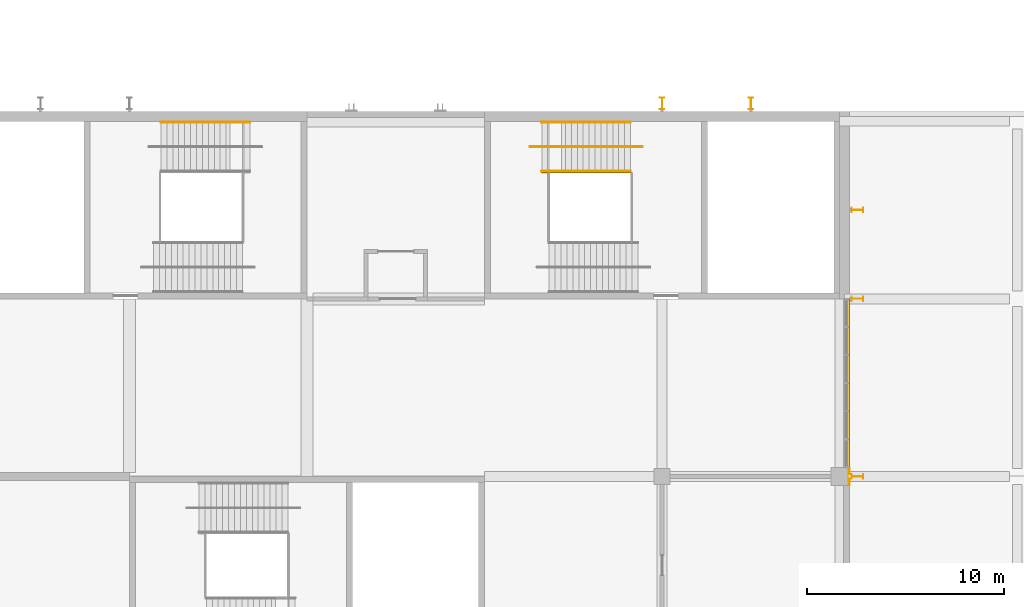
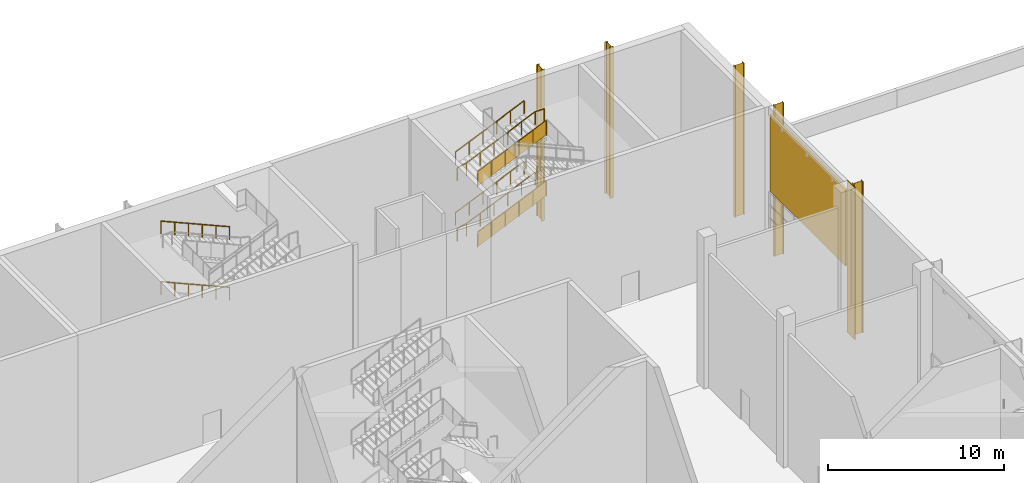
# One storey, part 177 of 182: 10 railings, 5 shading devices, 2 coverings.
"""IFC4 building model written with IfcOpenShell, lengths in metres."""

from ifc_helpers import new_model, si_unit, direction, frame, origin, origin_2d, place, context, subcontext, project, spatial, polyline, circle, i_section, outline, extrude, material, layer, layer_set, material_profile, profile_set, type_object, element, save


model = new_model("IFC4")

# Units and contexts
model_context = context("Model", 3, precision=1e-05, world=origin(), true_north=direction((0.0, 1.0)))
body_context = subcontext(model_context, "Body", "Model", "MODEL_VIEW")
ifc_project = project(units=[si_unit("LENGTHUNIT", "METRE"), si_unit("AREAUNIT", "SQUARE_METRE"), si_unit("VOLUMEUNIT", "CUBIC_METRE"), si_unit("PLANEANGLEUNIT", "RADIAN"), si_unit("MASSUNIT", "GRAM", prefix="KILO")], contexts=[model_context])

# Site, building, storey
site_placement = place(None, origin())
site = spatial("IfcSite", under=ifc_project, at=site_placement, CompositionType="ELEMENT")
building_placement = place(site_placement, origin())
building = spatial("IfcBuilding", under=site, at=building_placement, Name="Silverbay Arena", CompositionType="ELEMENT")
storey_placement = place(building_placement, frame((0.0, 0.0, 11.5)))
storey = spatial("IfcBuildingStorey", under=building, at=storey_placement, Name="L02", CompositionType="ELEMENT", Elevation=11.5)

# Coverings
ifc_material_1 = material(Name="Aluminium composite cladding", Category="aluminium")
ifc_layer_1 = layer(ifc_material_1, 0.050048828125)
ifc_layer_set_1 = layer_set([ifc_layer_1], Name="Aluminium composite cladding")
covering_type_1 = type_object("IfcCoveringType", Name="Column cladding 50", PredefinedType="CLADDING", material=ifc_layer_set_1)
covering_1_placement = place(storey_placement, origin())
element("IfcCovering", 1, at=covering_1_placement, inside=storey, type_object=covering_type_1, Name="East column cladding L02 14", PredefinedType="CLADDING", context=body_context, shape_type="SweptSolid", body=[
    extrude(outline(polyline([(207.449951171875, 125.550048828125), (207.5, 125.550048828125), (207.5, 126.449951171875), (207.449951171875, 126.449951171875), (207.449951171875, 125.550048828125)])), origin(), (0.0, 0.0, 1.0), 10.5),
])
ifc_material_2 = material(Name="Aluminium composite cladding", Category="aluminium")
ifc_layer_2 = layer(ifc_material_2, 0.14990234375)
ifc_layer_set_2 = layer_set([ifc_layer_2], Name="Aluminium composite cladding")
covering_type_2 = type_object("IfcCoveringType", Name="Facade cladding panel 150", PredefinedType="CLADDING", material=ifc_layer_set_2)
covering_2_placement = place(storey_placement, frame((0.0, 0.0, 4.60009765625)))
element("IfcCovering", 2, at=covering_2_placement, inside=storey, type_object=covering_type_2, Name="East facade cladding L02 bay 13", PredefinedType="CLADDING", context=body_context, shape_type="SweptSolid", body=[
    extrude(outline(polyline([(207.35009765625, 126.449951171875), (207.5, 126.449951171875), (207.5, 135.0), (207.35009765625, 135.0), (207.35009765625, 126.449951171875)])), origin(), (0.0, 0.0, 1.0), 5.2998046875),
])

# Railings
ifc_material_3 = material(Name="Stainless steel", Category="steel")
railing_type_1 = type_object("IfcRailingType", Name="Stair guard 1100", PredefinedType="GUARDRAIL", material=ifc_material_3)
railing_1_placement = place(storey_placement, frame((191.89990234375, 141.425048828125, 2.231201171875)))
element("IfcRailing", 3, at=railing_1_placement, inside=storey, type_object=railing_type_1, Name="Stair ST-N6 L02 to L03 flight 2 guard left", PredefinedType="GUARDRAIL", context=body_context, shape_type="SweptSolid", body=[
    extrude(circle(Radius=0.02392578125, at=origin_2d()), frame((0.0, 0.0, 1.076171875), z_axis=(0.916157334902, 0.0, 0.40081883402), x_axis=(0.0, 1.0, 0.0)), (0.0, 0.0, 1.0), 4.911865234375),
    extrude(outline(polyline([(-0.008056640625, 0.04638671875), (0.907958984375, 0.447265625), (0.907958984375, 1.4501953125), (-0.008056640625, 1.049560546875), (-0.008056640625, 0.04638671875)])), frame((0.0, 0.0029296875, 0.0), z_axis=(0.0, -1.0, 0.0), x_axis=(1.0, 0.0, 0.0)), (0.0, 0.0, 1.0), 0.006103515625),
    extrude(outline(polyline([(-0.008056640625, 0.440185546875), (0.907958984375, 0.841064453125), (0.907958984375, 1.843994140625), (-0.008056640625, 1.443359375), (-0.008056640625, 0.440185546875)])), frame((0.89990234375, 0.0029296875, 0.0), z_axis=(0.0, -1.0, 0.0), x_axis=(1.0, 0.0, 0.0)), (0.0, 0.0, 1.0), 0.006103515625),
    extrude(outline(polyline([(-0.008056640625, 0.833984375), (0.907958984375, 1.23486328125), (0.907958984375, 2.23779296875), (-0.008056640625, 1.8369140625), (-0.008056640625, 0.833984375)])), frame((1.800048828125, 0.0029296875, 0.0), z_axis=(0.0, -1.0, 0.0), x_axis=(1.0, 0.0, 0.0)), (0.0, 0.0, 1.0), 0.006103515625),
    extrude(outline(polyline([(-0.008056640625, 1.227783203125), (0.907958984375, 1.62841796875), (0.907958984375, 2.631591796875), (-0.008056640625, 2.230712890625), (-0.008056640625, 1.227783203125)])), frame((2.699951171875, 0.0029296875, 0.0), z_axis=(0.0, -1.0, 0.0), x_axis=(1.0, 0.0, 0.0)), (0.0, 0.0, 1.0), 0.006103515625),
    extrude(outline(polyline([(-0.008056640625, 1.62158203125), (0.907958984375, 2.022216796875), (0.907958984375, 3.025146484375), (-0.008056640625, 2.62451171875), (-0.008056640625, 1.62158203125)])), frame((3.60009765625, 0.0029296875, 0.0), z_axis=(0.0, -1.0, 0.0), x_axis=(1.0, 0.0, 0.0)), (0.0, 0.0, 1.0), 0.006103515625),
    extrude(circle(Radius=0.02099609375, at=origin_2d()), origin(), (0.0, 0.0, 1.0), 1.052001953125),
    extrude(circle(Radius=0.02099609375, at=origin_2d()), frame((0.89990234375, 0.0, 0.393798828125)), (0.0, 0.0, 1.0), 1.052001953125),
    extrude(circle(Radius=0.02099609375, at=origin_2d()), frame((1.800048828125, 0.0, 0.78759765625)), (0.0, 0.0, 1.0), 1.052001953125),
    extrude(circle(Radius=0.02099609375, at=origin_2d()), frame((2.699951171875, 0.0, 1.18115234375)), (0.0, 0.0, 1.0), 1.052001953125),
    extrude(circle(Radius=0.02099609375, at=origin_2d()), frame((3.60009765625, 0.0, 1.574951171875)), (0.0, 0.0, 1.0), 1.052001953125),
    extrude(circle(Radius=0.02099609375, at=origin_2d()), frame((4.5, 0.0, 1.96875)), (0.0, 0.0, 1.0), 1.052001953125),
])
railing_2_placement = place(storey_placement, frame((191.89990234375, 141.425048828125, 6.43115234375)))
element("IfcRailing", 4, at=railing_2_placement, inside=storey, type_object=railing_type_1, Name="Stair ST-N6 L02 to L03 flight 4 guard left", PredefinedType="GUARDRAIL", context=body_context, shape_type="SweptSolid", body=[
    extrude(circle(Radius=0.02392578125, at=origin_2d()), frame((0.0, 0.0, 1.076171875), z_axis=(0.916157334902, 0.0, 0.40081883402), x_axis=(0.0, 1.0, 0.0)), (0.0, 0.0, 1.0), 4.911865234375),
    extrude(outline(polyline([(-0.008056640625, 0.04638671875), (0.907958984375, 0.447265625), (0.907958984375, 1.4501953125), (-0.008056640625, 1.049560546875), (-0.008056640625, 0.04638671875)])), frame((0.0, 0.0029296875, 0.0), z_axis=(0.0, -1.0, 0.0), x_axis=(1.0, 0.0, 0.0)), (0.0, 0.0, 1.0), 0.006103515625),
    extrude(outline(polyline([(-0.008056640625, 0.440185546875), (0.907958984375, 0.841064453125), (0.907958984375, 1.843994140625), (-0.008056640625, 1.443359375), (-0.008056640625, 0.440185546875)])), frame((0.89990234375, 0.0029296875, 0.0), z_axis=(0.0, -1.0, 0.0), x_axis=(1.0, 0.0, 0.0)), (0.0, 0.0, 1.0), 0.006103515625),
    extrude(outline(polyline([(-0.008056640625, 0.833984375), (0.907958984375, 1.23486328125), (0.907958984375, 2.23779296875), (-0.008056640625, 1.8369140625), (-0.008056640625, 0.833984375)])), frame((1.800048828125, 0.0029296875, 0.0), z_axis=(0.0, -1.0, 0.0), x_axis=(1.0, 0.0, 0.0)), (0.0, 0.0, 1.0), 0.006103515625),
    extrude(outline(polyline([(-0.008056640625, 1.227783203125), (0.907958984375, 1.62841796875), (0.907958984375, 2.631591796875), (-0.008056640625, 2.230712890625), (-0.008056640625, 1.227783203125)])), frame((2.699951171875, 0.0029296875, 0.0), z_axis=(0.0, -1.0, 0.0), x_axis=(1.0, 0.0, 0.0)), (0.0, 0.0, 1.0), 0.006103515625),
    extrude(outline(polyline([(-0.008056640625, 1.62158203125), (0.907958984375, 2.022216796875), (0.907958984375, 3.025146484375), (-0.008056640625, 2.62451171875), (-0.008056640625, 1.62158203125)])), frame((3.60009765625, 0.0029296875, 0.0), z_axis=(0.0, -1.0, 0.0), x_axis=(1.0, 0.0, 0.0)), (0.0, 0.0, 1.0), 0.006103515625),
    extrude(circle(Radius=0.02099609375, at=origin_2d()), origin(), (0.0, 0.0, 1.0), 1.052001953125),
    extrude(circle(Radius=0.02099609375, at=origin_2d()), frame((0.89990234375, 0.0, 0.393798828125)), (0.0, 0.0, 1.0), 1.052001953125),
    extrude(circle(Radius=0.02099609375, at=origin_2d()), frame((1.800048828125, 0.0, 0.78759765625)), (0.0, 0.0, 1.0), 1.052001953125),
    extrude(circle(Radius=0.02099609375, at=origin_2d()), frame((2.699951171875, 0.0, 1.18115234375)), (0.0, 0.0, 1.0), 1.052001953125),
    extrude(circle(Radius=0.02099609375, at=origin_2d()), frame((3.60009765625, 0.0, 1.574951171875)), (0.0, 0.0, 1.0), 1.052001953125),
    extrude(circle(Radius=0.02099609375, at=origin_2d()), frame((4.5, 0.0, 1.96875)), (0.0, 0.0, 1.0), 1.052001953125),
])
ifc_material_4 = material(Name="Stainless steel", Category="steel")
railing_type_2 = type_object("IfcRailingType", Name="Stair handrail 900", PredefinedType="HANDRAIL", material=ifc_material_4)
for number, where, name in (
    (5, (177.10009765625, 143.949951171875, 2.231201171875), "Stair ST-N4 L02 to L03 flight 2 handrail right"),
    (6, (177.10009765625, 143.949951171875, 6.43115234375), "Stair ST-N4 L02 to L03 flight 4 handrail right"),
):
    element("IfcRailing", number, at=place(storey_placement, frame(where)), inside=storey, type_object=railing_type_2, Name=name, PredefinedType="HANDRAIL", context=body_context, shape_type="SweptSolid", body=[
        extrude(circle(Radius=0.02392578125, at=origin_2d()), frame((0.0, 0.0, 0.8759765625), z_axis=(-0.916157334902, 0.0, 0.40081883402), x_axis=(0.0, -1.0, 0.0)), (0.0, 0.0, 1.0), 4.911865234375),
        extrude(circle(Radius=0.02099609375, at=origin_2d()), origin(), (0.0, 0.0, 1.0), 0.851806640625),
        extrude(circle(Radius=0.02099609375, at=origin_2d()), frame((-0.89990234375, 0.0, 0.393798828125)), (0.0, 0.0, 1.0), 0.851806640625),
        extrude(circle(Radius=0.02099609375, at=origin_2d()), frame((-1.800048828125, 0.0, 0.78759765625)), (0.0, 0.0, 1.0), 0.851806640625),
        extrude(circle(Radius=0.02099609375, at=origin_2d()), frame((-2.699951171875, 0.0, 1.18115234375)), (0.0, 0.0, 1.0), 0.851806640625),
        extrude(circle(Radius=0.02099609375, at=origin_2d()), frame((-3.60009765625, 0.0, 1.574951171875)), (0.0, 0.0, 1.0), 0.851806640625),
        extrude(circle(Radius=0.02099609375, at=origin_2d()), frame((-4.5, 0.0, 1.96875)), (0.0, 0.0, 1.0), 0.851806640625),
    ])
for number, where, name in (
    (7, (191.89990234375, 141.464111328125, 2.231201171875), "Stair ST-N6 L02 to L03 flight 2 handrail left"),
    (8, (191.89990234375, 143.949951171875, 2.231201171875), "Stair ST-N6 L02 to L03 flight 2 handrail right"),
):
    element("IfcRailing", number, at=place(storey_placement, frame(where)), inside=storey, type_object=railing_type_2, Name=name, PredefinedType="HANDRAIL", context=body_context, shape_type="SweptSolid", body=[
        extrude(circle(Radius=0.02392578125, at=origin_2d()), frame((0.0, 0.0, 0.8759765625), z_axis=(0.916157334902, 0.0, 0.40081883402), x_axis=(0.0, 1.0, 0.0)), (0.0, 0.0, 1.0), 4.911865234375),
        extrude(circle(Radius=0.02099609375, at=origin_2d()), origin(), (0.0, 0.0, 1.0), 0.851806640625),
        extrude(circle(Radius=0.02099609375, at=origin_2d()), frame((0.89990234375, 0.0, 0.393798828125)), (0.0, 0.0, 1.0), 0.851806640625),
        extrude(circle(Radius=0.02099609375, at=origin_2d()), frame((1.800048828125, 0.0, 0.78759765625)), (0.0, 0.0, 1.0), 0.851806640625),
        extrude(circle(Radius=0.02099609375, at=origin_2d()), frame((2.699951171875, 0.0, 1.18115234375)), (0.0, 0.0, 1.0), 0.851806640625),
        extrude(circle(Radius=0.02099609375, at=origin_2d()), frame((3.60009765625, 0.0, 1.574951171875)), (0.0, 0.0, 1.0), 0.851806640625),
        extrude(circle(Radius=0.02099609375, at=origin_2d()), frame((4.5, 0.0, 1.96875)), (0.0, 0.0, 1.0), 0.851806640625),
    ])
railing_3_placement = place(storey_placement, frame((191.300048828125, 142.699951171875, 2.10009765625)))
element("IfcRailing", 9, at=railing_3_placement, inside=storey, type_object=railing_type_2, Name="Stair ST-N6 L02 to L03 flight 2 central handrail", PredefinedType="HANDRAIL", context=body_context, shape_type="SweptSolid", body=[
    extrude(circle(Radius=0.02392578125, at=origin_2d()), frame((0.0, 0.0, 0.8759765625), z_axis=(0.976938910361, 0.0, 0.213519004829), x_axis=(0.0, 1.0, 0.0)), (0.0, 0.0, 1.0), 0.614013671875),
    extrude(circle(Radius=0.02392578125, at=origin_2d()), frame((0.599853515625, 0.0, 1.0068359375), z_axis=(0.916157334902, 0.0, 0.40081883402), x_axis=(0.0, 1.0, 0.0)), (0.0, 0.0, 1.0), 4.911865234375),
    extrude(circle(Radius=0.02392578125, at=origin_2d()), frame((5.099853515625, 0.0, 2.9755859375), z_axis=(1.0, 0.0, 0.0), x_axis=(0.0, 1.0, 0.0)), (0.0, 0.0, 1.0), 0.60009765625),
    extrude(circle(Radius=0.02099609375, at=origin_2d()), origin(), (0.0, 0.0, 1.0), 0.851806640625),
    extrude(circle(Radius=0.02099609375, at=origin_2d()), frame((0.599853515625, 0.0, 0.131103515625)), (0.0, 0.0, 1.0), 0.851806640625),
    extrude(circle(Radius=0.02099609375, at=origin_2d()), frame((1.499755859375, 0.0, 0.52490234375)), (0.0, 0.0, 1.0), 0.851806640625),
    extrude(circle(Radius=0.02099609375, at=origin_2d()), frame((2.39990234375, 0.0, 0.918701171875)), (0.0, 0.0, 1.0), 0.851806640625),
    extrude(circle(Radius=0.02099609375, at=origin_2d()), frame((3.2998046875, 0.0, 1.312255859375)), (0.0, 0.0, 1.0), 0.851806640625),
    extrude(circle(Radius=0.02099609375, at=origin_2d()), frame((4.199951171875, 0.0, 1.7060546875)), (0.0, 0.0, 1.0), 0.851806640625),
    extrude(circle(Radius=0.02099609375, at=origin_2d()), frame((5.099853515625, 0.0, 2.099853515625)), (0.0, 0.0, 1.0), 0.851806640625),
    extrude(circle(Radius=0.02099609375, at=origin_2d()), frame((5.699951171875, 0.0, 2.099853515625)), (0.0, 0.0, 1.0), 0.851806640625),
])
for number, where, name in (
    (10, (191.89990234375, 141.464111328125, 6.43115234375), "Stair ST-N6 L02 to L03 flight 4 handrail left"),
    (11, (191.89990234375, 143.949951171875, 6.43115234375), "Stair ST-N6 L02 to L03 flight 4 handrail right"),
):
    element("IfcRailing", number, at=place(storey_placement, frame(where)), inside=storey, type_object=railing_type_2, Name=name, PredefinedType="HANDRAIL", context=body_context, shape_type="SweptSolid", body=[
        extrude(circle(Radius=0.02392578125, at=origin_2d()), frame((0.0, 0.0, 0.8759765625), z_axis=(0.916157334902, 0.0, 0.40081883402), x_axis=(0.0, 1.0, 0.0)), (0.0, 0.0, 1.0), 4.911865234375),
        extrude(circle(Radius=0.02099609375, at=origin_2d()), origin(), (0.0, 0.0, 1.0), 0.851806640625),
        extrude(circle(Radius=0.02099609375, at=origin_2d()), frame((0.89990234375, 0.0, 0.393798828125)), (0.0, 0.0, 1.0), 0.851806640625),
        extrude(circle(Radius=0.02099609375, at=origin_2d()), frame((1.800048828125, 0.0, 0.78759765625)), (0.0, 0.0, 1.0), 0.851806640625),
        extrude(circle(Radius=0.02099609375, at=origin_2d()), frame((2.699951171875, 0.0, 1.18115234375)), (0.0, 0.0, 1.0), 0.851806640625),
        extrude(circle(Radius=0.02099609375, at=origin_2d()), frame((3.60009765625, 0.0, 1.574951171875)), (0.0, 0.0, 1.0), 0.851806640625),
        extrude(circle(Radius=0.02099609375, at=origin_2d()), frame((4.5, 0.0, 1.96875)), (0.0, 0.0, 1.0), 0.851806640625),
    ])
railing_4_placement = place(storey_placement, frame((191.300048828125, 142.699951171875, 6.300048828125)))
element("IfcRailing", 12, at=railing_4_placement, inside=storey, type_object=railing_type_2, Name="Stair ST-N6 L02 to L03 flight 4 central handrail", PredefinedType="HANDRAIL", context=body_context, shape_type="SweptSolid", body=[
    extrude(circle(Radius=0.02392578125, at=origin_2d()), frame((0.0, 0.0, 0.8759765625), z_axis=(0.976938910361, 0.0, 0.213519004829), x_axis=(0.0, 1.0, 0.0)), (0.0, 0.0, 1.0), 0.614013671875),
    extrude(circle(Radius=0.02392578125, at=origin_2d()), frame((0.599853515625, 0.0, 1.0068359375), z_axis=(0.916157334902, 0.0, 0.40081883402), x_axis=(0.0, 1.0, 0.0)), (0.0, 0.0, 1.0), 4.911865234375),
    extrude(circle(Radius=0.02392578125, at=origin_2d()), frame((5.099853515625, 0.0, 2.9755859375), z_axis=(1.0, 0.0, 0.0), x_axis=(0.0, 1.0, 0.0)), (0.0, 0.0, 1.0), 0.60009765625),
    extrude(circle(Radius=0.02099609375, at=origin_2d()), origin(), (0.0, 0.0, 1.0), 0.851806640625),
    extrude(circle(Radius=0.02099609375, at=origin_2d()), frame((0.599853515625, 0.0, 0.131103515625)), (0.0, 0.0, 1.0), 0.851806640625),
    extrude(circle(Radius=0.02099609375, at=origin_2d()), frame((1.499755859375, 0.0, 0.52490234375)), (0.0, 0.0, 1.0), 0.851806640625),
    extrude(circle(Radius=0.02099609375, at=origin_2d()), frame((2.39990234375, 0.0, 0.918701171875)), (0.0, 0.0, 1.0), 0.851806640625),
    extrude(circle(Radius=0.02099609375, at=origin_2d()), frame((3.2998046875, 0.0, 1.312255859375)), (0.0, 0.0, 1.0), 0.851806640625),
    extrude(circle(Radius=0.02099609375, at=origin_2d()), frame((4.199951171875, 0.0, 1.7060546875)), (0.0, 0.0, 1.0), 0.851806640625),
    extrude(circle(Radius=0.02099609375, at=origin_2d()), frame((5.099853515625, 0.0, 2.099853515625)), (0.0, 0.0, 1.0), 0.851806640625),
    extrude(circle(Radius=0.02099609375, at=origin_2d()), frame((5.699951171875, 0.0, 2.099853515625)), (0.0, 0.0, 1.0), 0.851806640625),
])

# Shading devices
ifc_material_5 = material(Name="Steel S355", Category="steel")
ifc_material_profile = material_profile(ifc_material_5, i_section(OverallWidth=0.2275390625, OverallDepth=0.6025390625, WebThickness=0.010498046875, FlangeThickness=0.014892578125, at=origin_2d()), Name="UB 610x229x101")
ifc_profile_set = profile_set([ifc_material_profile], Name="Steel S355")
shading_device_type = type_object("IfcShadingDeviceType", Name="Steel fin UB 610x229x101", PredefinedType="USERDEFINED", material=ifc_profile_set)
for number, where, z_axis, x_axis, name in (
    (13, (207.9013671875, 126.0, 0.0), (0.0, 0.0, 1.0), (0.0, 1.0, 0.0), "Steel fin E L02 24"),
    (14, (207.9013671875, 135.0, 0.0), (0.0, 0.0, 1.0), (0.0, 1.0, 0.0), "Steel fin E L02 26"),
    (15, (207.9013671875, 139.5, 0.0), (0.0, 0.0, 1.0), (0.0, 1.0, 0.0), "Steel fin E L02 27"),
    (16, (198.0, 144.9013671875, 0.0), (0.0, 0.0, 1.0), (1.0, 0.0, 0.0), "Steel fin N L02 32"),
    (17, (202.5, 144.9013671875, 0.0), (0.0, 0.0, 1.0), (1.0, 0.0, 0.0), "Steel fin N L02 33"),
):
    element("IfcShadingDevice", number, at=place(storey_placement, frame(where, z_axis=z_axis, x_axis=x_axis)), inside=storey, type_object=shading_device_type, Name=name, ObjectType="FIN", PredefinedType="USERDEFINED", context=body_context, shape_type="SweptSolid", body=[
        extrude(i_section(OverallWidth=0.2275390625, OverallDepth=0.6025390625, WebThickness=0.010498046875, FlangeThickness=0.014892578125, at=origin_2d()), origin(), (0.0, 0.0, 1.0), 10.5),
    ])

save(model, "model.ifc")
